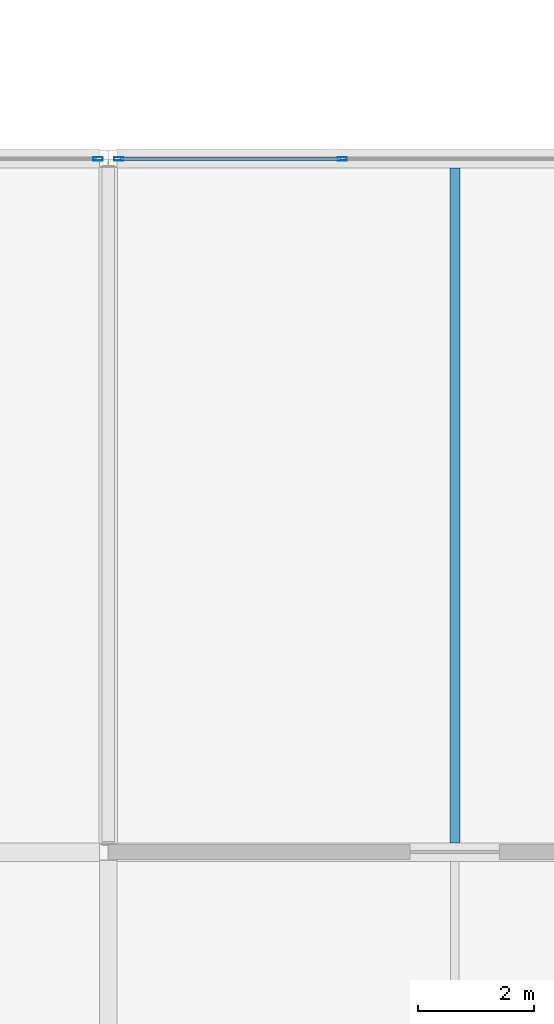
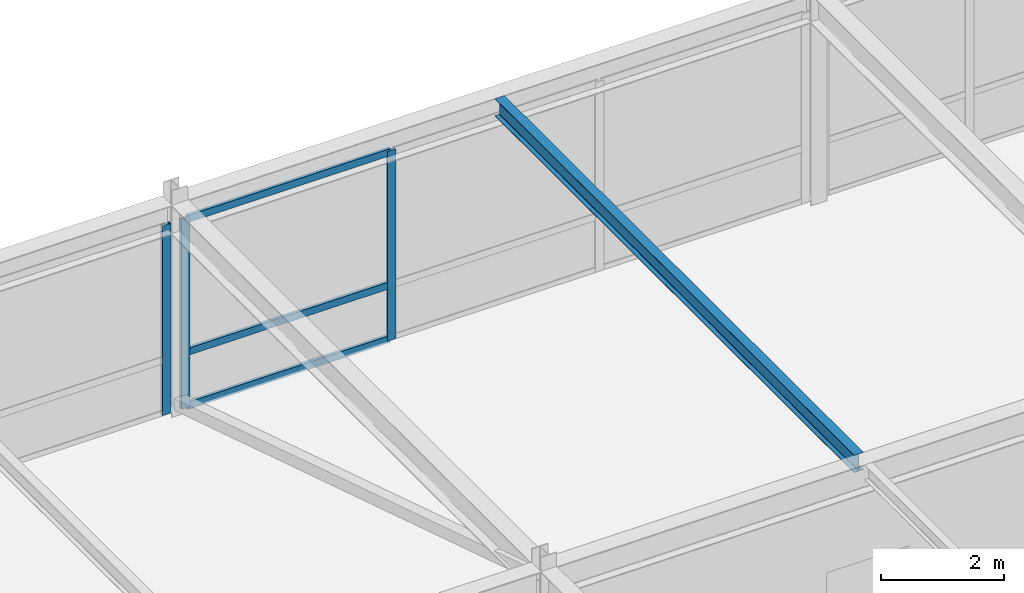
# One storey, part 79 of 108: 6 members, 1 beam, 2 elements without a shape of their own.
"""IFC4 building model written with IfcOpenShell, lengths in metres."""

import ifcopenshell
import ifcopenshell.guid

model = None  # the IFC model being written
_history = None  # IfcOwnerHistory: only IFC2X3 demands one
_inside = {}  # id of a spatial element -> (the spatial element, [elements in it])
_under = {}  # id of a project, library or spatial element -> (it, [spatial elements below it])
_declared = {}  # id of a project -> (the project, [libraries it declares])
_typed = {}  # id of a type object -> (the type object, [elements of that type])
_made_of = {}  # id of a material, layer set ... -> (it, [elements and type objects made of it])


def new_model(schema):
    """Start an empty IFC model of exactly this schema.

    Asked for "IFC4X3", IfcOpenShell would pick the latest addendum, in which some entities
    have other attributes; the version numbers below select the first issue.
    IFC2X3 requires an IfcOwnerHistory on every rooted entity: one is made here for all.
    """
    global model, _history
    if schema == "IFC4X3":
        model = ifcopenshell.file(schema_version=(4, 3, 0, 0))
    else:
        model = ifcopenshell.file(schema=schema)
    _inside.clear()
    _under.clear()
    _declared.clear()
    _typed.clear()
    _made_of.clear()
    _history = None
    if model.schema == "IFC2X3":
        org = make("IfcOrganization", Name="unknown")
        user = make(
            "IfcPersonAndOrganization",
            ThePerson=make("IfcPerson", FamilyName="unknown"),
            TheOrganization=org,
        )
        app = make(
            "IfcApplication",
            ApplicationDeveloper=org,
            Version="unknown",
            ApplicationFullName="unknown",
            ApplicationIdentifier="unknown",
        )
        _history = make(
            "IfcOwnerHistory",
            OwningUser=user,
            OwningApplication=app,
            ChangeAction="ADDED",
            CreationDate=0,
        )
    return model


def make(cls, **values):
    """One entity of the class cls with the attributes given. An attribute that is None is left unset."""
    return model.create_entity(
        cls, **{name: value for name, value in values.items() if value is not None}
    )


def rooted(cls, **values):
    """An entity with a GlobalId (a new one), such as an element, a storey or a relation."""
    return make(cls, GlobalId=ifcopenshell.guid.new(), OwnerHistory=_history, **values)


def si_unit(unit_type, name, prefix=None):
    """IfcSIUnit, for example si_unit("LENGTHUNIT", "METRE", prefix="MILLI")."""
    return make("IfcSIUnit", UnitType=unit_type, Prefix=prefix, Name=name)


def assignment(units):
    """IfcUnitAssignment: the units of a project."""
    return None if units is None else make("IfcUnitAssignment", Units=units)


def point(xyz):
    """IfcCartesianPoint."""
    return None if xyz is None else make("IfcCartesianPoint", Coordinates=xyz)


def direction(xyz):
    """IfcDirection."""
    return None if xyz is None else make("IfcDirection", DirectionRatios=xyz)


def frame(location, z_axis=None, x_axis=None):
    """IfcAxis2Placement3D, a coordinate frame: its origin and axes. An axis left out is left unset."""
    return make(
        "IfcAxis2Placement3D",
        Location=point(location),
        Axis=direction(z_axis),
        RefDirection=direction(x_axis),
    )


def frame_2d(location, x_axis=None):
    """IfcAxis2Placement2D, a coordinate frame in the plane: its origin and x axis."""
    return make(
        "IfcAxis2Placement2D", Location=point(location), RefDirection=direction(x_axis)
    )


def origin():
    """The frame at (0, 0, 0) with its axes left unset."""
    return frame((0.0, 0.0, 0.0))


def origin_2d():
    """The frame at (0, 0) in the plane with its x axis left unset."""
    return frame_2d((0.0, 0.0))


def place(relative_to, where):
    """IfcLocalPlacement: puts the frame where relative to a parent placement (None: the world)."""
    return make(
        "IfcLocalPlacement", PlacementRelTo=relative_to, RelativePlacement=where
    )


def context(
    kind, dimensions, precision=None, world=None, true_north=None, identifier=None
):
    """IfcGeometricRepresentationContext, for example the 3D "Model" context."""
    return make(
        "IfcGeometricRepresentationContext",
        ContextIdentifier=identifier,
        ContextType=kind,
        CoordinateSpaceDimension=dimensions,
        Precision=precision,
        WorldCoordinateSystem=world,
        TrueNorth=true_north,
    )


def subcontext(parent, identifier, kind, view, scale=None):
    """IfcGeometricRepresentationSubContext, for example "Body" below "Model"."""
    return make(
        "IfcGeometricRepresentationSubContext",
        ContextIdentifier=identifier,
        ContextType=kind,
        ParentContext=parent,
        TargetScale=scale,
        TargetView=view,
    )


def project(units=None, contexts=None):
    """IfcProject with its units and contexts."""
    return rooted(
        "IfcProject",
        Name="project",
        RepresentationContexts=contexts,
        UnitsInContext=assignment(units),
    )


def spatial(cls, under=None, at=None, **own):
    """A site, building, storey or space (cls), placed at a placement, below another one or the project."""
    s = rooted(cls, ObjectPlacement=at, **own)
    if under is not None:
        _under.setdefault(under.id(), (under, []))[1].append(s)
    return s


def profile(cls, at=None, kind="AREA", **sizes):
    """A parametric profile (cls). Its sizes go by their IFC names, for example OverallWidth=200.0."""
    return make(cls, ProfileType=kind, Position=at, **sizes)


def hollow_rectangle(**sizes):
    """IfcRectangleHollowProfileDef."""
    return profile("IfcRectangleHollowProfileDef", **sizes)


def i_section(**sizes):
    """IfcIShapeProfileDef."""
    return profile("IfcIShapeProfileDef", **sizes)


def extrude(swept, where, along, depth):
    """IfcExtrudedAreaSolid: the profile swept, set in the frame where, extruded along a direction by depth."""
    return make(
        "IfcExtrudedAreaSolid",
        SweptArea=swept,
        Position=where,
        ExtrudedDirection=direction(along),
        Depth=depth,
    )


def shape(context_of_items, identifier, shape_type, items):
    """IfcShapeRepresentation: the items that make up one representation, for example the "Body"."""
    return make(
        "IfcShapeRepresentation",
        ContextOfItems=context_of_items,
        RepresentationIdentifier=identifier,
        RepresentationType=shape_type,
        Items=items,
    )


def material(Name=None, Category=None):
    """IfcMaterial."""
    return make("IfcMaterial", Name=Name, Category=Category)


def layer(
    of_material, thickness, ventilated=None, Name=None, Category=None, Priority=None
):
    """IfcMaterialLayer: one layer of a wall or slab, of a material (None: an air gap)."""
    return make(
        "IfcMaterialLayer",
        Material=of_material,
        LayerThickness=thickness,
        IsVentilated=ventilated,
        Name=Name,
        Category=Category,
        Priority=Priority,
    )


def layer_set(layers, Name=None):
    """IfcMaterialLayerSet."""
    return make("IfcMaterialLayerSet", MaterialLayers=layers, LayerSetName=Name)


def material_profile(
    of_material, cross_section, Name=None, Category=None, Priority=None
):
    """IfcMaterialProfile: a cross section and its material."""
    return make(
        "IfcMaterialProfile",
        Name=Name,
        Material=of_material,
        Profile=cross_section,
        Priority=Priority,
        Category=Category,
    )


def profile_set(profiles, Name=None, composite=None):
    """IfcMaterialProfileSet."""
    return make(
        "IfcMaterialProfileSet",
        Name=Name,
        MaterialProfiles=profiles,
        CompositeProfile=composite,
    )


def made_of(thing, what):
    """Note that an element or type object is made of a material, layer set ...; save() writes the relation."""
    if what is not None:
        _made_of.setdefault(what.id(), (what, []))[1].append(thing)
    return thing


def type_object(cls, material=None, **own):
    """A type object (cls), such as IfcWallType, which elements share."""
    return made_of(rooted(cls, **own), material)


def element(
    cls,
    number,
    at=None,
    inside=None,
    cuts=None,
    type_object=None,
    material=None,
    context=None,
    identifier="Body",
    shape_type=None,
    held_by="IfcProductDefinitionShape",
    body=None,
    shapes=None,
    **own,
):
    """One element of the class cls, such as IfcWall. Its Tag is "e" and its number.

    at: its placement. inside: the storey or other place that contains it. cuts: it is an
    opening in that element (IfcRelVoidsElement). A single representation is given by context,
    identifier, shape_type and body (its items); several are given by shapes. held_by: the class
    of the entity that holds the representations. save() writes the other relations.
    """
    e = rooted(cls, Tag="e%d" % number, ObjectPlacement=at, **own)
    if body is not None:
        shapes = [shape(context, identifier, shape_type, body)]
    if shapes is not None:
        e.Representation = make(held_by, Representations=shapes)
    if inside is not None:
        _inside.setdefault(inside.id(), (inside, []))[1].append(e)
    if cuts is not None:
        rooted(
            "IfcRelVoidsElement", RelatingBuildingElement=cuts, RelatedOpeningElement=e
        )
    if type_object is not None:
        _typed.setdefault(type_object.id(), (type_object, []))[1].append(e)
    return made_of(e, material)


def aggregate(whole, parts):
    """IfcRelAggregates: a whole, such as a stair, and the parts it consists of."""
    return rooted("IfcRelAggregates", RelatingObject=whole, RelatedObjects=parts)


def save(model, path):
    """Write the relations noted so far, then the file.

    IfcRelAggregates (storeys below a building ...), IfcRelContainedInSpatialStructure (elements
    in a storey), IfcRelDefinesByType, IfcRelAssociatesMaterial and IfcRelDeclares: one each for
    every whole, place, type object, material and project.
    """
    for whole, parts in _under.values():
        aggregate(whole, parts)
    for where, things in _inside.values():
        rooted(
            "IfcRelContainedInSpatialStructure",
            RelatedElements=things,
            RelatingStructure=where,
        )
    for kind, things in _typed.values():
        rooted("IfcRelDefinesByType", RelatedObjects=things, RelatingType=kind)
    for what, things in _made_of.values():
        rooted("IfcRelAssociatesMaterial", RelatedObjects=things, RelatingMaterial=what)
    for by, libraries in _declared.values():
        rooted("IfcRelDeclares", RelatingContext=by, RelatedDefinitions=libraries)
    model.write(path)


model = new_model("IFC4")

# Units and contexts
model_context = context("Model", 3, precision=1e-05, world=origin(), true_north=direction((0.0, 1.0)))
body_context = subcontext(model_context, "Body", "Model", "MODEL_VIEW")
ifc_project = project(units=[si_unit("LENGTHUNIT", "METRE"), si_unit("AREAUNIT", "SQUARE_METRE"), si_unit("VOLUMEUNIT", "CUBIC_METRE"), si_unit("PLANEANGLEUNIT", "RADIAN"), si_unit("MASSUNIT", "GRAM", prefix="KILO")], contexts=[model_context])

# Site, building, storey
site_placement = place(None, origin())
site = spatial("IfcSite", under=ifc_project, at=site_placement, CompositionType="ELEMENT")
building_placement = place(site_placement, origin())
building = spatial("IfcBuilding", under=site, at=building_placement, Name="Zlatovratsky Civic Hall", CompositionType="ELEMENT")
storey_placement = place(building_placement, frame((0.0, 0.0, 12.0)))
storey = spatial("IfcBuildingStorey", under=building, at=storey_placement, Name="L03", CompositionType="ELEMENT", Elevation=12.0)

# Curtain wall, member
ifc_material_1 = material(Name="Anodised bronze aluminium", Category="aluminium")
ifc_layer = layer(ifc_material_1, 0.159912109375)
ifc_layer_set = layer_set([ifc_layer], Name="Anodised bronze aluminium")
curtain_wall_type = type_object("IfcCurtainWallType", Name="CurtainWall_Bronze_11700x3770_11", PredefinedType="NOTDEFINED", material=ifc_layer_set)
curtain_wall_1_placement = place(storey_placement, origin())
curtain_wall_1 = element("IfcCurtainWall", 1, at=curtain_wall_1_placement, inside=storey, type_object=curtain_wall_type, Name="CW-069", PredefinedType="NOTDEFINED")
ifc_material_profile_1 = material_profile(ifc_material_1, hollow_rectangle(XDim=0.06005859375, YDim=0.159912109375, WallThickness=0.00390625, at=origin_2d()), Name="ALU 60x160x4")
ifc_profile_set_1 = profile_set([ifc_material_profile_1], Name="Anodised bronze aluminium")
member_type_1 = type_object("IfcMemberType", Name="CW_Mullion_60x160", PredefinedType="MULLION", material=ifc_profile_set_1)
member_1_placement = place(storey_placement, frame((131.820556640625, 30.0, 0.0), z_axis=(0.0, 0.0, 1.0), x_axis=(0.0, 1.0, 0.0)))
member_1 = element("IfcMember", 2, at=member_1_placement, type_object=member_type_1, Name="CW-11 mullion 4", PredefinedType="MULLION", context=body_context, shape_type="SweptSolid", body=[
    extrude(hollow_rectangle(XDim=0.06005859375, YDim=0.159912109375, WallThickness=0.00390625, at=origin_2d()), origin(), (0.0, 0.0, 1.0), 3.77001953125),
])
aggregate(curtain_wall_1, [member_1])

# Curtain wall, members
curtain_wall_2_placement = place(storey_placement, origin())
curtain_wall_2 = element("IfcCurtainWall", 3, at=curtain_wall_2_placement, inside=storey, type_object=curtain_wall_type, Name="CW-070", PredefinedType="NOTDEFINED")
member_2_placement = place(storey_placement, frame((132.179443359375, 30.0, 0.0), z_axis=(0.0, 0.0, 1.0), x_axis=(0.0, 1.0, 0.0)))
member_2 = element("IfcMember", 4, at=member_2_placement, type_object=member_type_1, Name="CW-11 mullion 1", PredefinedType="MULLION", context=body_context, shape_type="SweptSolid", body=[
    extrude(hollow_rectangle(XDim=0.06005859375, YDim=0.159912109375, WallThickness=0.00390625, at=origin_2d()), origin(), (0.0, 0.0, 1.0), 3.77001953125),
])
member_3_placement = place(storey_placement, frame((136.0498046875, 30.0, 0.0), z_axis=(0.0, 0.0, 1.0), x_axis=(0.0, 1.0, 0.0)))
member_3 = element("IfcMember", 5, at=member_3_placement, type_object=member_type_1, Name="CW-11 mullion 2", PredefinedType="MULLION", context=body_context, shape_type="SweptSolid", body=[
    extrude(hollow_rectangle(XDim=0.06005859375, YDim=0.159912109375, WallThickness=0.00390625, at=origin_2d()), origin(), (0.0, 0.0, 1.0), 3.77001953125),
])
ifc_material_profile_2 = material_profile(ifc_material_1, hollow_rectangle(XDim=0.06005859375, YDim=0.139892578125, WallThickness=0.00390625, at=origin_2d()), Name="ALU 60x140x4")
ifc_profile_set_2 = profile_set([ifc_material_profile_2], Name="Anodised bronze aluminium")
member_type_2 = type_object("IfcMemberType", Name="CW_Transom_60x140", PredefinedType="USERDEFINED", material=ifc_profile_set_2)
member_4_placement = place(storey_placement, frame((132.20947265625, 30.0, 0.030029296875), z_axis=(1.0, 0.0, 0.0), x_axis=(0.0, 1.0, 0.0)))
member_4 = element("IfcMember", 6, at=member_4_placement, type_object=member_type_2, Name="CW-11 transom 1.1", ObjectType="TRANSOM", PredefinedType="USERDEFINED", context=body_context, shape_type="SweptSolid", body=[
    extrude(hollow_rectangle(XDim=0.06005859375, YDim=0.139892578125, WallThickness=0.00390625, at=origin_2d()), origin(), (0.0, 0.0, 1.0), 3.810302734375),
])
member_5_placement = place(storey_placement, frame((132.20947265625, 30.0, 1.10009765625), z_axis=(1.0, 0.0, 0.0), x_axis=(0.0, 1.0, 0.0)))
member_5 = element("IfcMember", 7, at=member_5_placement, type_object=member_type_2, Name="CW-11 transom 1.2", ObjectType="TRANSOM", PredefinedType="USERDEFINED", context=body_context, shape_type="SweptSolid", body=[
    extrude(hollow_rectangle(XDim=0.06005859375, YDim=0.139892578125, WallThickness=0.00390625, at=origin_2d()), origin(), (0.0, 0.0, 1.0), 3.810302734375),
])
member_6_placement = place(storey_placement, frame((132.20947265625, 30.0, 3.739990234375), z_axis=(1.0, 0.0, 0.0), x_axis=(0.0, 1.0, 0.0)))
member_6 = element("IfcMember", 8, at=member_6_placement, type_object=member_type_2, Name="CW-11 transom 1.3", ObjectType="TRANSOM", PredefinedType="USERDEFINED", context=body_context, shape_type="SweptSolid", body=[
    extrude(hollow_rectangle(XDim=0.06005859375, YDim=0.139892578125, WallThickness=0.00390625, at=origin_2d()), origin(), (0.0, 0.0, 1.0), 3.810302734375),
])
aggregate(curtain_wall_2, [member_2, member_3, member_4, member_5, member_6])

# Beam
ifc_material_2 = material(Name="Steel S355", Category="steel")
ifc_material_profile_3 = material_profile(ifc_material_2, i_section(OverallWidth=0.175048828125, OverallDepth=0.35009765625, WebThickness=0.007080078125, FlangeThickness=0.010986328125, FilletRadius=0.013916015625, at=origin_2d()), Name="35B2")
ifc_profile_set_3 = profile_set([ifc_material_profile_3], Name="Steel S355")
beam_type = type_object("IfcBeamType", Name="Joist_Heavy_35B2", PredefinedType="JOIST", material=ifc_profile_set_3)
beam_placement = place(storey_placement, frame((138.0, 18.159912109375, 4.044921875), z_axis=(0.0, 1.0, 0.0), x_axis=(-1.0, 0.0, 0.0)))
element("IfcBeam", 9, at=beam_placement, inside=storey, type_object=beam_type, Name="BM-3136", PredefinedType="JOIST", context=body_context, shape_type="SweptSolid", body=[
    extrude(i_section(OverallWidth=0.175048828125, OverallDepth=0.35009765625, WebThickness=0.007080078125, FlangeThickness=0.010986328125, FilletRadius=0.013916015625, at=origin_2d()), origin(), (0.0, 0.0, 1.0), 11.68017578125),
])

save(model, "model.ifc")
